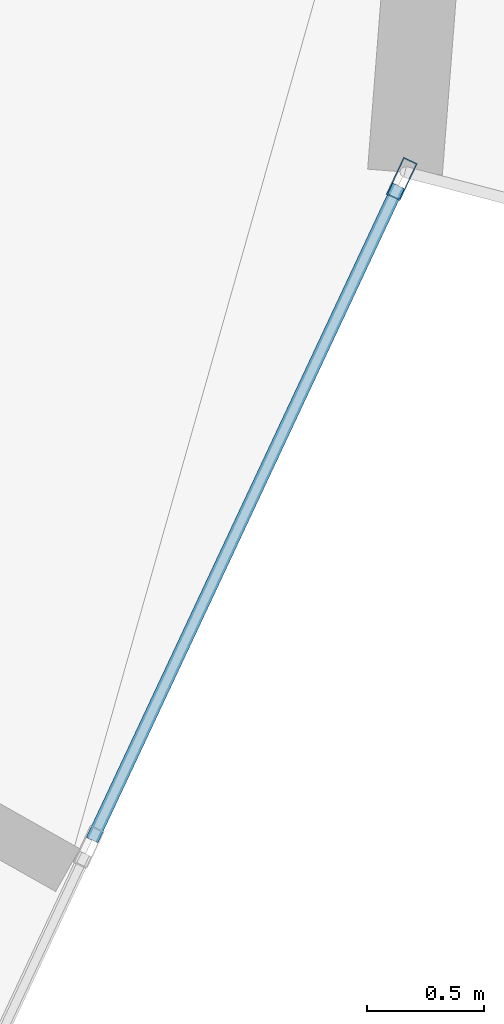
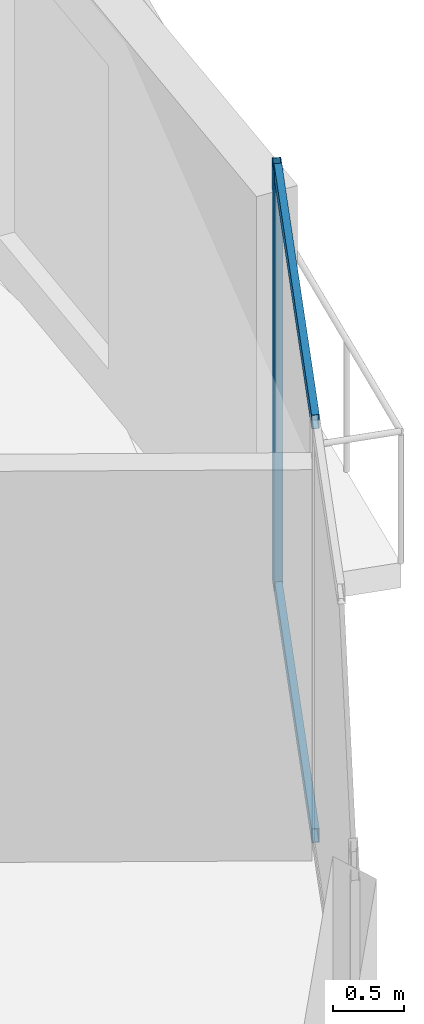
# One storey, part 11 of 25: 3 members, 1 element without a shape of its own.
"""IFC4 building model written with IfcOpenShell, lengths in metres."""

from ifc_helpers import new_model, si_unit, direction, frame, origin, origin_2d, place, context, subcontext, project, spatial, hollow_rectangle, extrude, source, transform, mapped, material, layer, layer_set, material_profile, profile_set, type_object, element, aggregate, save


model = new_model("IFC4")

# Units and contexts
model_context = context("Model", 3, precision=1e-05, world=origin(), true_north=direction((0.0, 1.0)))
body_context = subcontext(model_context, "Body", "Model", "MODEL_VIEW")
ifc_project = project(units=[si_unit("LENGTHUNIT", "METRE"), si_unit("AREAUNIT", "SQUARE_METRE"), si_unit("VOLUMEUNIT", "CUBIC_METRE"), si_unit("PLANEANGLEUNIT", "RADIAN"), si_unit("MASSUNIT", "GRAM", prefix="KILO")], contexts=[model_context])

# Site, building, storey
site_placement = place(None, origin())
site = spatial("IfcSite", under=ifc_project, at=site_placement, CompositionType="ELEMENT")
building_placement = place(site_placement, origin())
building = spatial("IfcBuilding", under=site, at=building_placement, Name="Solvirekh Grand Hotel", CompositionType="ELEMENT")
storey_placement = place(building_placement, frame((0.0, 0.0, 120.60009765625)))
storey = spatial("IfcBuildingStorey", under=building, at=storey_placement, Name="L30", CompositionType="ELEMENT", Elevation=120.60009765625)

# Curtain wall, members
ifc_material = material(Name="Anodized Bronze Aluminium 6063-T6", Category="aluminium")
ifc_layer = layer(ifc_material, 0.175048828125)
ifc_layer_set = layer_set([ifc_layer], Name="Anodized Bronze Aluminium 6063-T6")
curtain_wall_type = type_object("IfcCurtainWallType", Name="CW_Sys3_MidZoneFlushBronzeCW", PredefinedType="NOTDEFINED", material=ifc_layer_set)
curtain_wall_placement = place(storey_placement, origin())
curtain_wall = element("IfcCurtainWall", 1, at=curtain_wall_placement, inside=storey, type_object=curtain_wall_type, Name="L30 unitised bronze-glass curtain wall CW-L30-C01", PredefinedType="NOTDEFINED")
ifc_material_profile_1 = material_profile(ifc_material, hollow_rectangle(XDim=0.06494140625, YDim=0.175048828125, WallThickness=0.0048828125, at=origin_2d()), Name="ALU RHS 175X65X5")
ifc_profile_set_1 = profile_set([ifc_material_profile_1], Name="Anodized Bronze Aluminium 6063-T6")
member_type_1 = type_object("IfcMemberType", Name="CWMullion_Sys3", PredefinedType="MULLION", material=ifc_profile_set_1)
shared_shape_1 = source(origin(), body_context, "Body", "SweptSolid", [
    extrude(hollow_rectangle(XDim=0.06494140625, YDim=0.175048828125, WallThickness=0.0048828125, at=origin_2d()), origin(), (0.0, 0.0, 1.0), 3.599853515625),
])
member_1_placement = place(storey_placement, frame((21.1962890625, -8.46044921875, 0.0), z_axis=(0.0, 0.0, 1.0), x_axis=(-0.905564495067, 0.424208610562, 0.0)))
member_1 = element("IfcMember", 2, at=member_1_placement, type_object=member_type_1, Name="U03 mullion 3", PredefinedType="MULLION", context=body_context, shape_type="MappedRepresentation", body=[
    mapped(shared_shape_1, transform((0.0, 0.0, 0.0), x_axis=(1.0, 0.0, 0.0), y_axis=(0.0, 1.0, 0.0), z_axis=(0.0, 0.0, 1.0), scale=1.0)),
])
ifc_material_profile_2 = material_profile(ifc_material, hollow_rectangle(XDim=0.054931640625, YDim=0.1201171875, WallThickness=0.00390625, at=origin_2d()), Name="ALU RHS 120X55X4")
ifc_profile_set_2 = profile_set([ifc_material_profile_2], Name="Anodized Bronze Aluminium 6063-T6")
member_type_2 = type_object("IfcMemberType", Name="CWTransom_Sys3", PredefinedType="USERDEFINED", material=ifc_profile_set_2)
shared_shape_2 = source(origin(), body_context, "Body", "SweptSolid", [
    extrude(hollow_rectangle(XDim=0.054931640625, YDim=0.1201171875, WallThickness=0.00390625, at=origin_2d()), origin(), (0.0, 0.0, 1.0), 3.08740234375),
])
member_2_placement = place(storey_placement, frame((19.872802734375, -11.28564453125, 0.02734375), z_axis=(0.424166428414, 0.905584253952, 0.0), x_axis=(-0.905584253952, 0.424166428414, 0.0)))
member_2 = element("IfcMember", 3, at=member_2_placement, type_object=member_type_2, Name="U03 transom 2.1", ObjectType="TRANSOM", PredefinedType="USERDEFINED", context=body_context, shape_type="MappedRepresentation", body=[
    mapped(shared_shape_2, transform((0.0, 0.0, 0.0), x_axis=(1.0, 0.0, 0.0), y_axis=(0.0, 1.0, 0.0), z_axis=(0.0, 0.0, 1.0), scale=1.0)),
])
member_3_placement = place(storey_placement, frame((19.872802734375, -11.28564453125, 3.572509765625), z_axis=(0.424166428414, 0.905584253952, 0.0), x_axis=(-0.905584253952, 0.424166428414, 0.0)))
member_3 = element("IfcMember", 4, at=member_3_placement, type_object=member_type_2, Name="U03 transom 2.2", ObjectType="TRANSOM", PredefinedType="USERDEFINED", context=body_context, shape_type="MappedRepresentation", body=[
    mapped(shared_shape_2, transform((0.0, 0.0, 0.0), x_axis=(1.0, 0.0, 0.0), y_axis=(0.0, 1.0, 0.0), z_axis=(0.0, 0.0, 1.0), scale=1.0)),
])
aggregate(curtain_wall, [member_1, member_2, member_3])

save(model, "model.ifc")
